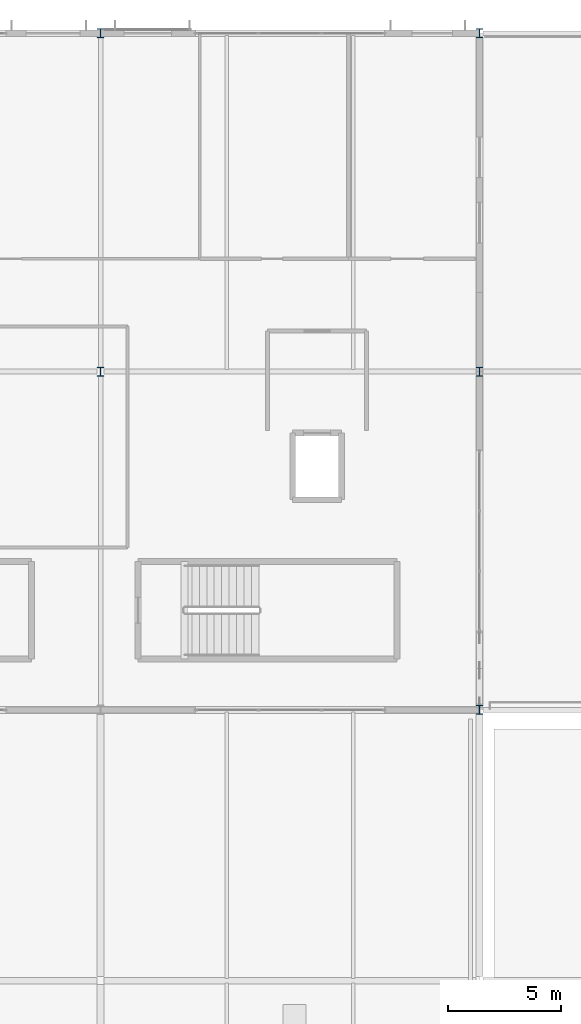
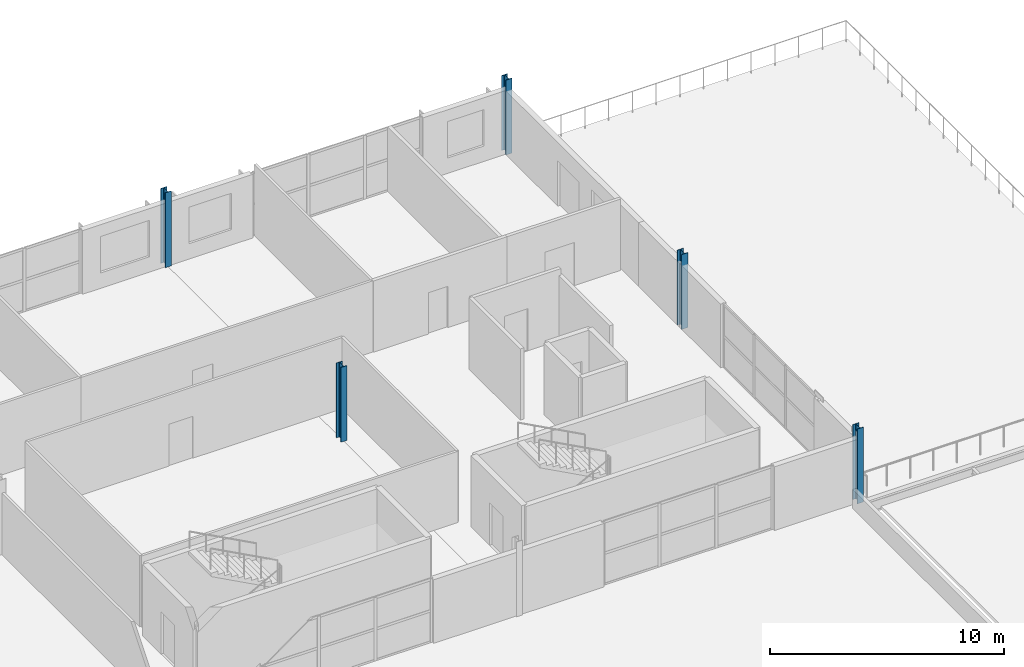
# One storey, part 5 of 36: 5 columns.
"""IFC4 building model written with IfcOpenShell, lengths in metres."""

from ifc_helpers import new_model, si_unit, direction, frame, origin, origin_2d, place, context, subcontext, project, spatial, i_section, extrude, material, material_profile, profile_set, type_object, element, save


model = new_model("IFC4")

# Units and contexts
model_context = context("Model", 3, precision=1e-05, world=origin(), true_north=direction((0.0, 1.0)))
body_context = subcontext(model_context, "Body", "Model", "MODEL_VIEW")
ifc_project = project(units=[si_unit("LENGTHUNIT", "METRE"), si_unit("AREAUNIT", "SQUARE_METRE"), si_unit("VOLUMEUNIT", "CUBIC_METRE"), si_unit("PLANEANGLEUNIT", "RADIAN"), si_unit("MASSUNIT", "GRAM", prefix="KILO")], contexts=[model_context])

# Site, building, storey
site_placement = place(None, origin())
site = spatial("IfcSite", under=ifc_project, at=site_placement, CompositionType="ELEMENT")
building_placement = place(site_placement, origin())
building = spatial("IfcBuilding", under=site, at=building_placement, Name="Kimbaza Rail Terminus", CompositionType="ELEMENT")
storey_placement = place(building_placement, frame((0.0, 0.0, 21.0)))
storey = spatial("IfcBuildingStorey", under=building, at=storey_placement, Name="L04", CompositionType="ELEMENT", Elevation=21.0)

# Columns
ifc_material = material(Name="Steel S355", Category="steel")
ifc_material_profile = material_profile(ifc_material, i_section(OverallWidth=0.300048828125, OverallDepth=0.39990234375, WebThickness=0.013427734375, FlangeThickness=0.02392578125, FilletRadius=0.027099609375, at=origin_2d()), Name="HEB 400")
ifc_profile_set = profile_set([ifc_material_profile], Name="Steel S355")
column_type = type_object("IfcColumnType", Name="STR-COL-HEB400", PredefinedType="COLUMN", material=ifc_profile_set)
for number, where, z_axis, x_axis, name in (
    (1, (122.39990234375, 118.0, 0.0), (0.0, 0.0, 1.0), (1.0, 0.0, 0.0), "Operations Column L04 (4,1)"),
    (2, (122.39990234375, 133.0, 0.0), (0.0, 0.0, 1.0), (1.0, 0.0, 0.0), "Operations Column L04 (4,2)"),
    (3, (139.199951171875, 103.0, 0.0), (0.0, 0.0, 1.0), (1.0, 0.0, 0.0), "Operations Column L04 (5,0)"),
    (4, (139.199951171875, 118.0, 0.0), (0.0, 0.0, 1.0), (1.0, 0.0, 0.0), "Operations Column L04 (5,1)"),
    (5, (139.199951171875, 133.0, 0.0), (0.0, 0.0, 1.0), (1.0, 0.0, 0.0), "Operations Column L04 (5,2)"),
):
    element("IfcColumn", number, at=place(storey_placement, frame(where, z_axis=z_axis, x_axis=x_axis)), inside=storey, type_object=column_type, Name=name, PredefinedType="COLUMN", context=body_context, shape_type="SweptSolid", body=[
        extrude(i_section(OverallWidth=0.300048828125, OverallDepth=0.39990234375, WebThickness=0.013427734375, FlangeThickness=0.02392578125, FilletRadius=0.027099609375, at=origin_2d()), origin(), (0.0, 0.0, 1.0), 3.89990234375),
    ])

save(model, "model.ifc")
